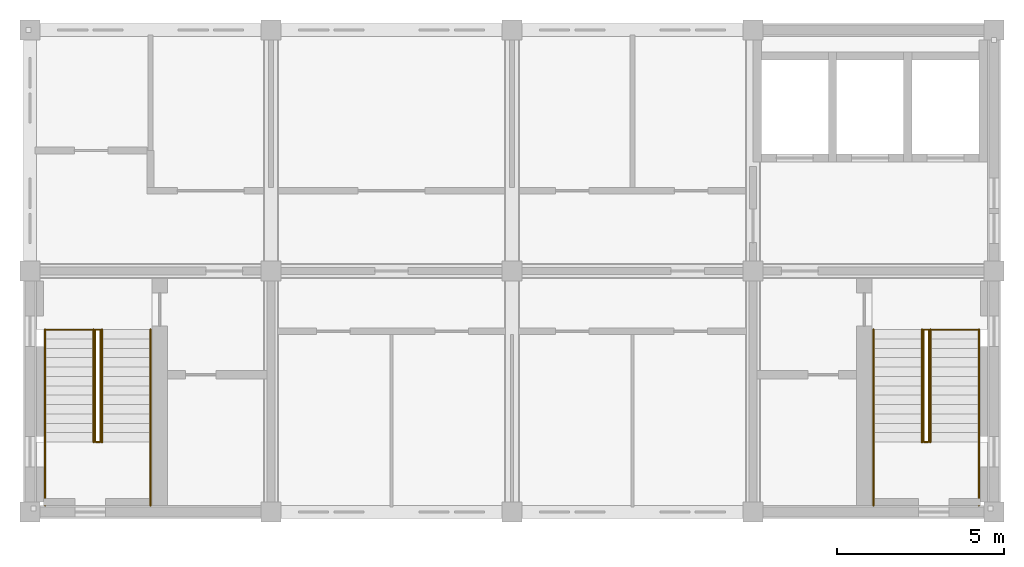
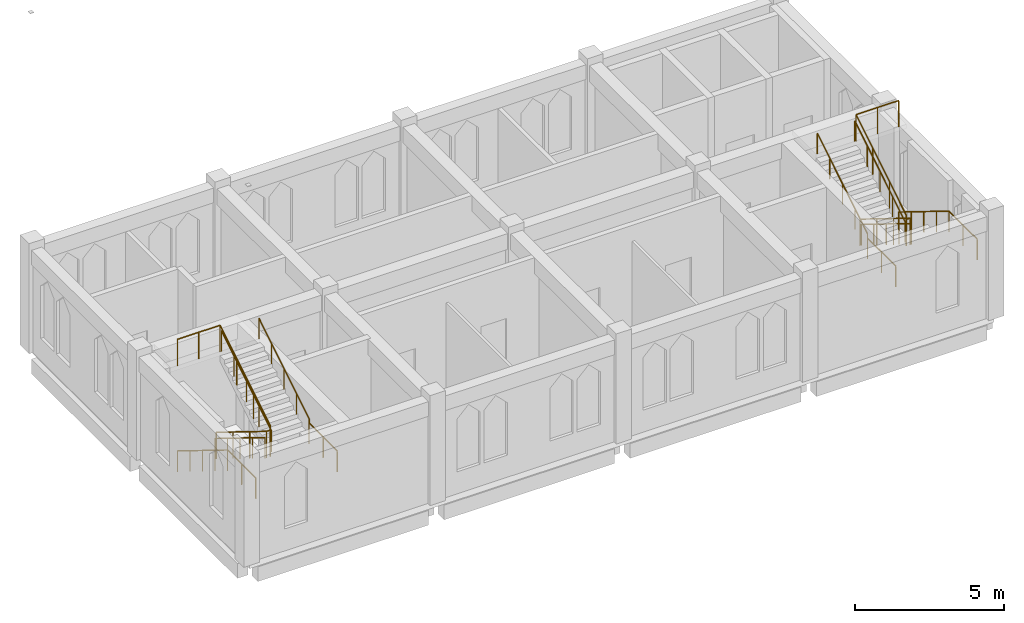
# One storey, part 6 of 6: 10 railings.
"""IFC4 building model written with IfcOpenShell, lengths in metres."""

from ifc_helpers import new_model, si_unit, direction, frame, origin, origin_2d, place, context, subcontext, project, spatial, circle, extrude, material, type_object, element, save


model = new_model("IFC4")

# Units and contexts
model_context = context("Model", 3, precision=1e-05, world=origin(), true_north=direction((0.0, 1.0)))
body_context = subcontext(model_context, "Body", "Model", "MODEL_VIEW")
ifc_project = project(units=[si_unit("LENGTHUNIT", "METRE"), si_unit("AREAUNIT", "SQUARE_METRE"), si_unit("VOLUMEUNIT", "CUBIC_METRE"), si_unit("PLANEANGLEUNIT", "RADIAN"), si_unit("MASSUNIT", "GRAM", prefix="KILO")], contexts=[model_context])

# Site, building, storey
site_placement = place(None, origin())
site = spatial("IfcSite", under=ifc_project, at=site_placement, CompositionType="ELEMENT")
building_placement = place(site_placement, origin())
building = spatial("IfcBuilding", under=site, at=building_placement, Name="Silangan Lancet Faculty of Sciences", CompositionType="ELEMENT")
storey_placement = place(building_placement, frame((0.0, 0.0, 76.800048828125)))
storey = spatial("IfcBuildingStorey", under=building, at=storey_placement, Name="L16", CompositionType="ELEMENT", Elevation=76.800048828125)

# Railings
ifc_material_1 = material(Name="Steel balustrade", Category="steel")
railing_type_1 = type_object("IfcRailingType", Name="STAIR GUARD 1100", PredefinedType="GUARDRAIL", material=ifc_material_1)
railing_1_placement = place(storey_placement, frame((1.949951171875, 5.449951171875, 0.173095703125)))
element("IfcRailing", 1, at=railing_1_placement, inside=storey, type_object=railing_type_1, Name="GUARD-ST-A-L16", PredefinedType="GUARDRAIL", context=body_context, shape_type="SweptSolid", body=[
    extrude(circle(Radius=0.02392578125, at=origin_2d()), frame((0.0, 0.0, 1.076171875), z_axis=(0.0, -0.850606129759, 0.525803396734), x_axis=(1.0, 0.0, 0.0)), (0.0, 0.0, 1.0), 3.949951171875),
    extrude(circle(Radius=0.02392578125, at=origin_2d()), frame((0.0, -3.35986328125, 3.15283203125), z_axis=(1.0, 0.0, 0.0), x_axis=(0.0, 1.0, 0.0)), (0.0, 0.0, 1.0), 0.150146484375),
    extrude(circle(Radius=0.02392578125, at=origin_2d()), frame((0.150146484375, -3.35986328125, 3.15283203125), z_axis=(0.0, 0.0, 1.0), x_axis=(1.0, 0.0, 0.0)), (0.0, 0.0, 1.0), 0.173095703125),
    extrude(circle(Radius=0.02392578125, at=origin_2d()), frame((0.150146484375, -3.35986328125, 3.326171875), z_axis=(0.0, 0.850606129759, 0.525803396734), x_axis=(-1.0, 0.0, 0.0)), (0.0, 0.0, 1.0), 3.949951171875),
    extrude(circle(Radius=0.02392578125, at=origin_2d()), frame((0.150146484375, 0.0, 5.40283203125), z_axis=(-1.0, 0.0, 0.0), x_axis=(0.0, -1.0, 0.0)), (0.0, 0.0, 1.0), 1.650146484375),
    extrude(circle(Radius=0.02099609375, at=origin_2d()), origin(), (0.0, 0.0, 1.0), 1.052001953125),
    extrude(circle(Radius=0.02099609375, at=origin_2d()), frame((0.0, -1.119873046875, 0.6923828125)), (0.0, 0.0, 1.0), 1.052001953125),
    extrude(circle(Radius=0.02099609375, at=origin_2d()), frame((0.0, -2.239990234375, 1.384521484375)), (0.0, 0.0, 1.0), 1.052001953125),
    extrude(circle(Radius=0.02099609375, at=origin_2d()), frame((0.0, -3.35986328125, 2.076904296875)), (0.0, 0.0, 1.0), 1.052001953125),
    extrude(circle(Radius=0.02099609375, at=origin_2d()), frame((0.150146484375, -3.35986328125, 2.076904296875)), (0.0, 0.0, 1.0), 1.052001953125),
    extrude(circle(Radius=0.02099609375, at=origin_2d()), frame((0.150146484375, -3.35986328125, 2.25)), (0.0, 0.0, 1.0), 1.052001953125),
    extrude(circle(Radius=0.02099609375, at=origin_2d()), frame((0.150146484375, -2.239990234375, 2.9423828125)), (0.0, 0.0, 1.0), 1.052001953125),
    extrude(circle(Radius=0.02099609375, at=origin_2d()), frame((0.150146484375, -1.119873046875, 3.634521484375)), (0.0, 0.0, 1.0), 1.052001953125),
    extrude(circle(Radius=0.02099609375, at=origin_2d()), frame((0.150146484375, 0.0, 4.326904296875)), (0.0, 0.0, 1.0), 1.052001953125),
    extrude(circle(Radius=0.02099609375, at=origin_2d()), frame((-0.6748046875, 0.0, 4.326904296875)), (0.0, 0.0, 1.0), 1.052001953125),
    extrude(circle(Radius=0.02099609375, at=origin_2d()), frame((-1.5, 0.0, 4.326904296875)), (0.0, 0.0, 1.0), 1.052001953125),
])
railing_2_placement = place(storey_placement, frame((26.85009765625, 5.449951171875, 0.173095703125)))
element("IfcRailing", 2, at=railing_2_placement, inside=storey, type_object=railing_type_1, Name="GUARD-ST-B-L16", PredefinedType="GUARDRAIL", context=body_context, shape_type="SweptSolid", body=[
    extrude(circle(Radius=0.02392578125, at=origin_2d()), frame((0.0, 0.0, 1.076171875), z_axis=(0.0, -0.850606129759, 0.525803396734), x_axis=(1.0, 0.0, 0.0)), (0.0, 0.0, 1.0), 3.949951171875),
    extrude(circle(Radius=0.02392578125, at=origin_2d()), frame((0.0, -3.35986328125, 3.15283203125), z_axis=(-1.0, 0.0, 0.0), x_axis=(0.0, -1.0, 0.0)), (0.0, 0.0, 1.0), 0.150146484375),
    extrude(circle(Radius=0.02392578125, at=origin_2d()), frame((-0.150146484375, -3.35986328125, 3.15283203125), z_axis=(0.0, 0.0, 1.0), x_axis=(1.0, 0.0, 0.0)), (0.0, 0.0, 1.0), 0.173095703125),
    extrude(circle(Radius=0.02392578125, at=origin_2d()), frame((-0.150146484375, -3.35986328125, 3.326171875), z_axis=(0.0, 0.850606129759, 0.525803396734), x_axis=(-1.0, 0.0, 0.0)), (0.0, 0.0, 1.0), 3.949951171875),
    extrude(circle(Radius=0.02392578125, at=origin_2d()), frame((-0.150146484375, 0.0, 5.40283203125), z_axis=(1.0, 0.0, 0.0), x_axis=(0.0, 1.0, 0.0)), (0.0, 0.0, 1.0), 1.650146484375),
    extrude(circle(Radius=0.02099609375, at=origin_2d()), origin(), (0.0, 0.0, 1.0), 1.052001953125),
    extrude(circle(Radius=0.02099609375, at=origin_2d()), frame((0.0, -1.119873046875, 0.6923828125)), (0.0, 0.0, 1.0), 1.052001953125),
    extrude(circle(Radius=0.02099609375, at=origin_2d()), frame((0.0, -2.239990234375, 1.384521484375)), (0.0, 0.0, 1.0), 1.052001953125),
    extrude(circle(Radius=0.02099609375, at=origin_2d()), frame((0.0, -3.35986328125, 2.076904296875)), (0.0, 0.0, 1.0), 1.052001953125),
    extrude(circle(Radius=0.02099609375, at=origin_2d()), frame((-0.150146484375, -3.35986328125, 2.076904296875)), (0.0, 0.0, 1.0), 1.052001953125),
    extrude(circle(Radius=0.02099609375, at=origin_2d()), frame((-0.150146484375, -3.35986328125, 2.25)), (0.0, 0.0, 1.0), 1.052001953125),
    extrude(circle(Radius=0.02099609375, at=origin_2d()), frame((-0.150146484375, -2.239990234375, 2.9423828125)), (0.0, 0.0, 1.0), 1.052001953125),
    extrude(circle(Radius=0.02099609375, at=origin_2d()), frame((-0.150146484375, -1.119873046875, 3.634521484375)), (0.0, 0.0, 1.0), 1.052001953125),
    extrude(circle(Radius=0.02099609375, at=origin_2d()), frame((-0.150146484375, 0.0, 4.326904296875)), (0.0, 0.0, 1.0), 1.052001953125),
    extrude(circle(Radius=0.02099609375, at=origin_2d()), frame((0.6748046875, 0.0, 4.326904296875)), (0.0, 0.0, 1.0), 1.052001953125),
    extrude(circle(Radius=0.02099609375, at=origin_2d()), frame((1.5, 0.0, 4.326904296875)), (0.0, 0.0, 1.0), 1.052001953125),
])
ifc_material_2 = material(Name="Stainless steel", Category="steel")
railing_type_2 = type_object("IfcRailingType", Name="STAIR HANDRAIL 865", PredefinedType="HANDRAIL", material=ifc_material_2)
railing_3_placement = place(storey_placement, frame((0.449951171875, 5.449951171875, 0.173095703125)))
element("IfcRailing", 3, at=railing_3_placement, inside=storey, type_object=railing_type_2, Name="HANDRAIL-ST-A-L16-O1", PredefinedType="HANDRAIL", context=body_context, shape_type="SweptSolid", body=[
    extrude(circle(Radius=0.02392578125, at=origin_2d()), frame((0.0, 0.0, 0.8408203125), z_axis=(0.0, -0.850654891397, 0.525724505556), x_axis=(1.0, 0.0, 0.0)), (0.0, 0.0, 1.0), 0.9873046875),
    extrude(circle(Radius=0.02392578125, at=origin_2d()), frame((0.0, -0.83984375, 1.35986328125), z_axis=(0.0, -0.85061266112, 0.525792830631), x_axis=(1.0, 0.0, 0.0)), (0.0, 0.0, 1.0), 0.987548828125),
    extrude(circle(Radius=0.02392578125, at=origin_2d()), frame((0.0, -1.679931640625, 1.87939453125), z_axis=(0.0, -0.85061266112, 0.525792830631), x_axis=(1.0, 0.0, 0.0)), (0.0, 0.0, 1.0), 0.987548828125),
    extrude(circle(Radius=0.02392578125, at=origin_2d()), frame((0.0, -2.52001953125, 2.3984375), z_axis=(0.0, -0.850544299321, 0.52590340833), x_axis=(1.0, 0.0, 0.0)), (0.0, 0.0, 1.0), 0.9873046875),
    extrude(circle(Radius=0.02392578125, at=origin_2d()), frame((0.0, -3.35986328125, 2.91796875), z_axis=(0.0, -1.0, 0.0), x_axis=(1.0, 0.0, 0.0)), (0.0, 0.0, 1.0), 1.89013671875),
    extrude(circle(Radius=0.02099609375, at=origin_2d()), origin(), (0.0, 0.0, 1.0), 0.81689453125),
    extrude(circle(Radius=0.02099609375, at=origin_2d()), frame((0.0, -0.83984375, 0.51904296875)), (0.0, 0.0, 1.0), 0.81689453125),
    extrude(circle(Radius=0.02099609375, at=origin_2d()), frame((0.0, -1.679931640625, 1.038330078125)), (0.0, 0.0, 1.0), 0.81689453125),
    extrude(circle(Radius=0.02099609375, at=origin_2d()), frame((0.0, -2.52001953125, 1.5576171875)), (0.0, 0.0, 1.0), 0.81689453125),
    extrude(circle(Radius=0.02099609375, at=origin_2d()), frame((0.0, -3.35986328125, 2.076904296875)), (0.0, 0.0, 1.0), 0.81689453125),
    extrude(circle(Radius=0.02099609375, at=origin_2d()), frame((0.0, -4.304931640625, 2.076904296875)), (0.0, 0.0, 1.0), 0.81689453125),
    extrude(circle(Radius=0.02099609375, at=origin_2d()), frame((0.0, -5.25, 2.076904296875)), (0.0, 0.0, 1.0), 0.81689453125),
])
railing_4_placement = place(storey_placement, frame((1.89990234375, 5.449951171875, 0.173095703125)))
element("IfcRailing", 4, at=railing_4_placement, inside=storey, type_object=railing_type_2, Name="HANDRAIL-ST-A-L16-I1", PredefinedType="HANDRAIL", context=body_context, shape_type="SweptSolid", body=[
    extrude(circle(Radius=0.02392578125, at=origin_2d()), frame((0.0, 0.0, 0.8408203125), z_axis=(0.0, -0.850654891397, 0.525724505556), x_axis=(1.0, 0.0, 0.0)), (0.0, 0.0, 1.0), 0.9873046875),
    extrude(circle(Radius=0.02392578125, at=origin_2d()), frame((0.0, -0.83984375, 1.35986328125), z_axis=(0.0, -0.85061266112, 0.525792830631), x_axis=(1.0, 0.0, 0.0)), (0.0, 0.0, 1.0), 0.987548828125),
    extrude(circle(Radius=0.02392578125, at=origin_2d()), frame((0.0, -1.679931640625, 1.87939453125), z_axis=(0.0, -0.85061266112, 0.525792830631), x_axis=(1.0, 0.0, 0.0)), (0.0, 0.0, 1.0), 0.987548828125),
    extrude(circle(Radius=0.02392578125, at=origin_2d()), frame((0.0, -2.52001953125, 2.3984375), z_axis=(0.0, -0.850544299321, 0.52590340833), x_axis=(1.0, 0.0, 0.0)), (0.0, 0.0, 1.0), 0.9873046875),
    extrude(circle(Radius=0.02099609375, at=origin_2d()), origin(), (0.0, 0.0, 1.0), 0.81689453125),
    extrude(circle(Radius=0.02099609375, at=origin_2d()), frame((0.0, -0.83984375, 0.51904296875)), (0.0, 0.0, 1.0), 0.81689453125),
    extrude(circle(Radius=0.02099609375, at=origin_2d()), frame((0.0, -1.679931640625, 1.038330078125)), (0.0, 0.0, 1.0), 0.81689453125),
    extrude(circle(Radius=0.02099609375, at=origin_2d()), frame((0.0, -2.52001953125, 1.5576171875)), (0.0, 0.0, 1.0), 0.81689453125),
    extrude(circle(Radius=0.02099609375, at=origin_2d()), frame((0.0, -3.35986328125, 2.076904296875)), (0.0, 0.0, 1.0), 0.81689453125),
])
railing_5_placement = place(storey_placement, frame((3.60009765625, 0.199951171875, 2.25)))
element("IfcRailing", 5, at=railing_5_placement, inside=storey, type_object=railing_type_2, Name="HANDRAIL-ST-A-L16-O2", PredefinedType="HANDRAIL", context=body_context, shape_type="SweptSolid", body=[
    extrude(circle(Radius=0.02392578125, at=origin_2d()), frame((0.0, 0.0, 0.8408203125), z_axis=(0.0, 1.0, 0.0), x_axis=(-1.0, 0.0, 0.0)), (0.0, 0.0, 1.0), 1.89013671875),
    extrude(circle(Radius=0.02392578125, at=origin_2d()), frame((0.0, 1.89013671875, 0.8408203125), z_axis=(0.0, 0.0, 1.0), x_axis=(1.0, 0.0, 0.0)), (0.0, 0.0, 1.0), 0.173095703125),
    extrude(circle(Radius=0.02392578125, at=origin_2d()), frame((0.0, 1.89013671875, 1.01416015625), z_axis=(0.0, 0.850654891397, 0.525724505556), x_axis=(-1.0, 0.0, 0.0)), (0.0, 0.0, 1.0), 0.9873046875),
    extrude(circle(Radius=0.02392578125, at=origin_2d()), frame((0.0, 2.72998046875, 1.533203125), z_axis=(0.0, 0.85061266112, 0.525792830631), x_axis=(-1.0, 0.0, 0.0)), (0.0, 0.0, 1.0), 0.987548828125),
    extrude(circle(Radius=0.02392578125, at=origin_2d()), frame((0.0, 3.570068359375, 2.05224609375), z_axis=(0.0, 0.85061266112, 0.525792830631), x_axis=(-1.0, 0.0, 0.0)), (0.0, 0.0, 1.0), 0.987548828125),
    extrude(circle(Radius=0.02392578125, at=origin_2d()), frame((0.0, 4.41015625, 2.57177734375), z_axis=(0.0, 0.850544299321, 0.52590340833), x_axis=(-1.0, 0.0, 0.0)), (0.0, 0.0, 1.0), 0.9873046875),
    extrude(circle(Radius=0.02099609375, at=origin_2d()), origin(), (0.0, 0.0, 1.0), 0.81689453125),
    extrude(circle(Radius=0.02099609375, at=origin_2d()), frame((0.0, 0.945068359375, 0.0)), (0.0, 0.0, 1.0), 0.81689453125),
    extrude(circle(Radius=0.02099609375, at=origin_2d()), frame((0.0, 1.89013671875, 0.0)), (0.0, 0.0, 1.0), 0.81689453125),
    extrude(circle(Radius=0.02099609375, at=origin_2d()), frame((0.0, 1.89013671875, 0.173095703125)), (0.0, 0.0, 1.0), 0.81689453125),
    extrude(circle(Radius=0.02099609375, at=origin_2d()), frame((0.0, 2.72998046875, 0.692138671875)), (0.0, 0.0, 1.0), 0.81689453125),
    extrude(circle(Radius=0.02099609375, at=origin_2d()), frame((0.0, 3.570068359375, 1.21142578125)), (0.0, 0.0, 1.0), 0.81689453125),
    extrude(circle(Radius=0.02099609375, at=origin_2d()), frame((0.0, 4.41015625, 1.730712890625)), (0.0, 0.0, 1.0), 0.81689453125),
    extrude(circle(Radius=0.02099609375, at=origin_2d()), frame((0.0, 5.25, 2.25)), (0.0, 0.0, 1.0), 0.81689453125),
])
railing_6_placement = place(storey_placement, frame((2.14990234375, 2.090087890625, 2.423095703125)))
element("IfcRailing", 6, at=railing_6_placement, inside=storey, type_object=railing_type_2, Name="HANDRAIL-ST-A-L16-I2", PredefinedType="HANDRAIL", context=body_context, shape_type="SweptSolid", body=[
    extrude(circle(Radius=0.02392578125, at=origin_2d()), frame((0.0, 0.0, 0.8408203125), z_axis=(0.0, 0.850654891397, 0.525724505556), x_axis=(-1.0, 0.0, 0.0)), (0.0, 0.0, 1.0), 0.9873046875),
    extrude(circle(Radius=0.02392578125, at=origin_2d()), frame((0.0, 0.83984375, 1.35986328125), z_axis=(0.0, 0.85061266112, 0.525792830631), x_axis=(-1.0, 0.0, 0.0)), (0.0, 0.0, 1.0), 0.987548828125),
    extrude(circle(Radius=0.02392578125, at=origin_2d()), frame((0.0, 1.679931640625, 1.87939453125), z_axis=(0.0, 0.85061266112, 0.525792830631), x_axis=(-1.0, 0.0, 0.0)), (0.0, 0.0, 1.0), 0.987548828125),
    extrude(circle(Radius=0.02392578125, at=origin_2d()), frame((0.0, 2.52001953125, 2.3984375), z_axis=(0.0, 0.850544299321, 0.52590340833), x_axis=(-1.0, 0.0, 0.0)), (0.0, 0.0, 1.0), 0.9873046875),
    extrude(circle(Radius=0.02099609375, at=origin_2d()), origin(), (0.0, 0.0, 1.0), 0.81689453125),
    extrude(circle(Radius=0.02099609375, at=origin_2d()), frame((0.0, 0.83984375, 0.51904296875)), (0.0, 0.0, 1.0), 0.81689453125),
    extrude(circle(Radius=0.02099609375, at=origin_2d()), frame((0.0, 1.679931640625, 1.038330078125)), (0.0, 0.0, 1.0), 0.81689453125),
    extrude(circle(Radius=0.02099609375, at=origin_2d()), frame((0.0, 2.52001953125, 1.5576171875)), (0.0, 0.0, 1.0), 0.81689453125),
    extrude(circle(Radius=0.02099609375, at=origin_2d()), frame((0.0, 3.35986328125, 2.076904296875)), (0.0, 0.0, 1.0), 0.81689453125),
])
railing_7_placement = place(storey_placement, frame((28.35009765625, 5.449951171875, 0.173095703125)))
element("IfcRailing", 7, at=railing_7_placement, inside=storey, type_object=railing_type_2, Name="HANDRAIL-ST-B-L16-O1", PredefinedType="HANDRAIL", context=body_context, shape_type="SweptSolid", body=[
    extrude(circle(Radius=0.02392578125, at=origin_2d()), frame((0.0, 0.0, 0.8408203125), z_axis=(0.0, -0.850654891397, 0.525724505556), x_axis=(1.0, 0.0, 0.0)), (0.0, 0.0, 1.0), 0.9873046875),
    extrude(circle(Radius=0.02392578125, at=origin_2d()), frame((0.0, -0.83984375, 1.35986328125), z_axis=(0.0, -0.85061266112, 0.525792830631), x_axis=(1.0, 0.0, 0.0)), (0.0, 0.0, 1.0), 0.987548828125),
    extrude(circle(Radius=0.02392578125, at=origin_2d()), frame((0.0, -1.679931640625, 1.87939453125), z_axis=(0.0, -0.85061266112, 0.525792830631), x_axis=(1.0, 0.0, 0.0)), (0.0, 0.0, 1.0), 0.987548828125),
    extrude(circle(Radius=0.02392578125, at=origin_2d()), frame((0.0, -2.52001953125, 2.3984375), z_axis=(0.0, -0.850544299321, 0.52590340833), x_axis=(1.0, 0.0, 0.0)), (0.0, 0.0, 1.0), 0.9873046875),
    extrude(circle(Radius=0.02392578125, at=origin_2d()), frame((0.0, -3.35986328125, 2.91796875), z_axis=(0.0, -1.0, 0.0), x_axis=(1.0, 0.0, 0.0)), (0.0, 0.0, 1.0), 1.89013671875),
    extrude(circle(Radius=0.02099609375, at=origin_2d()), origin(), (0.0, 0.0, 1.0), 0.81689453125),
    extrude(circle(Radius=0.02099609375, at=origin_2d()), frame((0.0, -0.83984375, 0.51904296875)), (0.0, 0.0, 1.0), 0.81689453125),
    extrude(circle(Radius=0.02099609375, at=origin_2d()), frame((0.0, -1.679931640625, 1.038330078125)), (0.0, 0.0, 1.0), 0.81689453125),
    extrude(circle(Radius=0.02099609375, at=origin_2d()), frame((0.0, -2.52001953125, 1.5576171875)), (0.0, 0.0, 1.0), 0.81689453125),
    extrude(circle(Radius=0.02099609375, at=origin_2d()), frame((0.0, -3.35986328125, 2.076904296875)), (0.0, 0.0, 1.0), 0.81689453125),
    extrude(circle(Radius=0.02099609375, at=origin_2d()), frame((0.0, -4.304931640625, 2.076904296875)), (0.0, 0.0, 1.0), 0.81689453125),
    extrude(circle(Radius=0.02099609375, at=origin_2d()), frame((0.0, -5.25, 2.076904296875)), (0.0, 0.0, 1.0), 0.81689453125),
])
railing_8_placement = place(storey_placement, frame((26.89990234375, 5.449951171875, 0.173095703125)))
element("IfcRailing", 8, at=railing_8_placement, inside=storey, type_object=railing_type_2, Name="HANDRAIL-ST-B-L16-I1", PredefinedType="HANDRAIL", context=body_context, shape_type="SweptSolid", body=[
    extrude(circle(Radius=0.02392578125, at=origin_2d()), frame((0.0, 0.0, 0.8408203125), z_axis=(0.0, -0.850654891397, 0.525724505556), x_axis=(1.0, 0.0, 0.0)), (0.0, 0.0, 1.0), 0.9873046875),
    extrude(circle(Radius=0.02392578125, at=origin_2d()), frame((0.0, -0.83984375, 1.35986328125), z_axis=(0.0, -0.85061266112, 0.525792830631), x_axis=(1.0, 0.0, 0.0)), (0.0, 0.0, 1.0), 0.987548828125),
    extrude(circle(Radius=0.02392578125, at=origin_2d()), frame((0.0, -1.679931640625, 1.87939453125), z_axis=(0.0, -0.85061266112, 0.525792830631), x_axis=(1.0, 0.0, 0.0)), (0.0, 0.0, 1.0), 0.987548828125),
    extrude(circle(Radius=0.02392578125, at=origin_2d()), frame((0.0, -2.52001953125, 2.3984375), z_axis=(0.0, -0.850544299321, 0.52590340833), x_axis=(1.0, 0.0, 0.0)), (0.0, 0.0, 1.0), 0.9873046875),
    extrude(circle(Radius=0.02099609375, at=origin_2d()), origin(), (0.0, 0.0, 1.0), 0.81689453125),
    extrude(circle(Radius=0.02099609375, at=origin_2d()), frame((0.0, -0.83984375, 0.51904296875)), (0.0, 0.0, 1.0), 0.81689453125),
    extrude(circle(Radius=0.02099609375, at=origin_2d()), frame((0.0, -1.679931640625, 1.038330078125)), (0.0, 0.0, 1.0), 0.81689453125),
    extrude(circle(Radius=0.02099609375, at=origin_2d()), frame((0.0, -2.52001953125, 1.5576171875)), (0.0, 0.0, 1.0), 0.81689453125),
    extrude(circle(Radius=0.02099609375, at=origin_2d()), frame((0.0, -3.35986328125, 2.076904296875)), (0.0, 0.0, 1.0), 0.81689453125),
])
railing_9_placement = place(storey_placement, frame((25.199951171875, 0.199951171875, 2.25)))
element("IfcRailing", 9, at=railing_9_placement, inside=storey, type_object=railing_type_2, Name="HANDRAIL-ST-B-L16-O2", PredefinedType="HANDRAIL", context=body_context, shape_type="SweptSolid", body=[
    extrude(circle(Radius=0.02392578125, at=origin_2d()), frame((0.0, 0.0, 0.8408203125), z_axis=(0.0, 1.0, 0.0), x_axis=(-1.0, 0.0, 0.0)), (0.0, 0.0, 1.0), 1.89013671875),
    extrude(circle(Radius=0.02392578125, at=origin_2d()), frame((0.0, 1.89013671875, 0.8408203125), z_axis=(0.0, 0.0, 1.0), x_axis=(1.0, 0.0, 0.0)), (0.0, 0.0, 1.0), 0.173095703125),
    extrude(circle(Radius=0.02392578125, at=origin_2d()), frame((0.0, 1.89013671875, 1.01416015625), z_axis=(0.0, 0.850654891397, 0.525724505556), x_axis=(-1.0, 0.0, 0.0)), (0.0, 0.0, 1.0), 0.9873046875),
    extrude(circle(Radius=0.02392578125, at=origin_2d()), frame((0.0, 2.72998046875, 1.533203125), z_axis=(0.0, 0.85061266112, 0.525792830631), x_axis=(-1.0, 0.0, 0.0)), (0.0, 0.0, 1.0), 0.987548828125),
    extrude(circle(Radius=0.02392578125, at=origin_2d()), frame((0.0, 3.570068359375, 2.05224609375), z_axis=(0.0, 0.85061266112, 0.525792830631), x_axis=(-1.0, 0.0, 0.0)), (0.0, 0.0, 1.0), 0.987548828125),
    extrude(circle(Radius=0.02392578125, at=origin_2d()), frame((0.0, 4.41015625, 2.57177734375), z_axis=(0.0, 0.850544299321, 0.52590340833), x_axis=(-1.0, 0.0, 0.0)), (0.0, 0.0, 1.0), 0.9873046875),
    extrude(circle(Radius=0.02099609375, at=origin_2d()), origin(), (0.0, 0.0, 1.0), 0.81689453125),
    extrude(circle(Radius=0.02099609375, at=origin_2d()), frame((0.0, 0.945068359375, 0.0)), (0.0, 0.0, 1.0), 0.81689453125),
    extrude(circle(Radius=0.02099609375, at=origin_2d()), frame((0.0, 1.89013671875, 0.0)), (0.0, 0.0, 1.0), 0.81689453125),
    extrude(circle(Radius=0.02099609375, at=origin_2d()), frame((0.0, 1.89013671875, 0.173095703125)), (0.0, 0.0, 1.0), 0.81689453125),
    extrude(circle(Radius=0.02099609375, at=origin_2d()), frame((0.0, 2.72998046875, 0.692138671875)), (0.0, 0.0, 1.0), 0.81689453125),
    extrude(circle(Radius=0.02099609375, at=origin_2d()), frame((0.0, 3.570068359375, 1.21142578125)), (0.0, 0.0, 1.0), 0.81689453125),
    extrude(circle(Radius=0.02099609375, at=origin_2d()), frame((0.0, 4.41015625, 1.730712890625)), (0.0, 0.0, 1.0), 0.81689453125),
    extrude(circle(Radius=0.02099609375, at=origin_2d()), frame((0.0, 5.25, 2.25)), (0.0, 0.0, 1.0), 0.81689453125),
])
railing_10_placement = place(storey_placement, frame((26.64990234375, 2.090087890625, 2.423095703125)))
element("IfcRailing", 10, at=railing_10_placement, inside=storey, type_object=railing_type_2, Name="HANDRAIL-ST-B-L16-I2", PredefinedType="HANDRAIL", context=body_context, shape_type="SweptSolid", body=[
    extrude(circle(Radius=0.02392578125, at=origin_2d()), frame((0.0, 0.0, 0.8408203125), z_axis=(0.0, 0.850654891397, 0.525724505556), x_axis=(-1.0, 0.0, 0.0)), (0.0, 0.0, 1.0), 0.9873046875),
    extrude(circle(Radius=0.02392578125, at=origin_2d()), frame((0.0, 0.83984375, 1.35986328125), z_axis=(0.0, 0.85061266112, 0.525792830631), x_axis=(-1.0, 0.0, 0.0)), (0.0, 0.0, 1.0), 0.987548828125),
    extrude(circle(Radius=0.02392578125, at=origin_2d()), frame((0.0, 1.679931640625, 1.87939453125), z_axis=(0.0, 0.85061266112, 0.525792830631), x_axis=(-1.0, 0.0, 0.0)), (0.0, 0.0, 1.0), 0.987548828125),
    extrude(circle(Radius=0.02392578125, at=origin_2d()), frame((0.0, 2.52001953125, 2.3984375), z_axis=(0.0, 0.850544299321, 0.52590340833), x_axis=(-1.0, 0.0, 0.0)), (0.0, 0.0, 1.0), 0.9873046875),
    extrude(circle(Radius=0.02099609375, at=origin_2d()), origin(), (0.0, 0.0, 1.0), 0.81689453125),
    extrude(circle(Radius=0.02099609375, at=origin_2d()), frame((0.0, 0.83984375, 0.51904296875)), (0.0, 0.0, 1.0), 0.81689453125),
    extrude(circle(Radius=0.02099609375, at=origin_2d()), frame((0.0, 1.679931640625, 1.038330078125)), (0.0, 0.0, 1.0), 0.81689453125),
    extrude(circle(Radius=0.02099609375, at=origin_2d()), frame((0.0, 2.52001953125, 1.5576171875)), (0.0, 0.0, 1.0), 0.81689453125),
    extrude(circle(Radius=0.02099609375, at=origin_2d()), frame((0.0, 3.35986328125, 2.076904296875)), (0.0, 0.0, 1.0), 0.81689453125),
])

save(model, "model.ifc")
